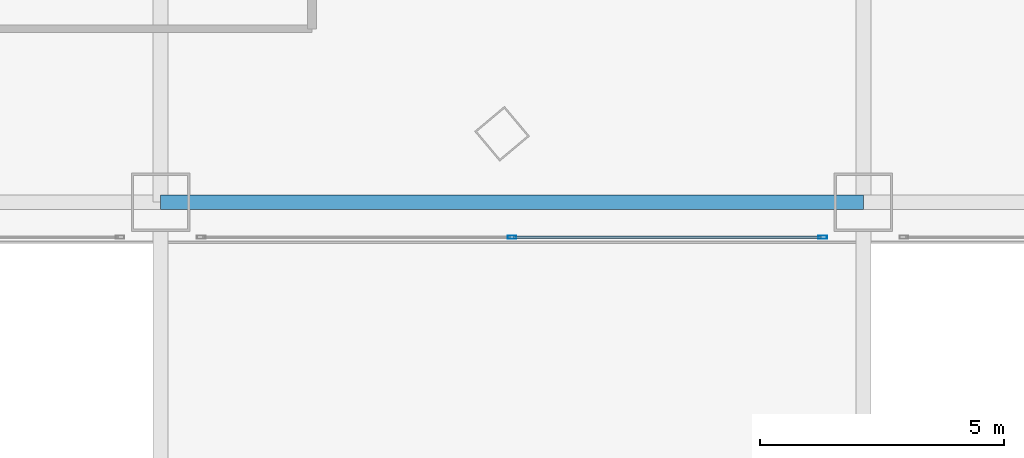
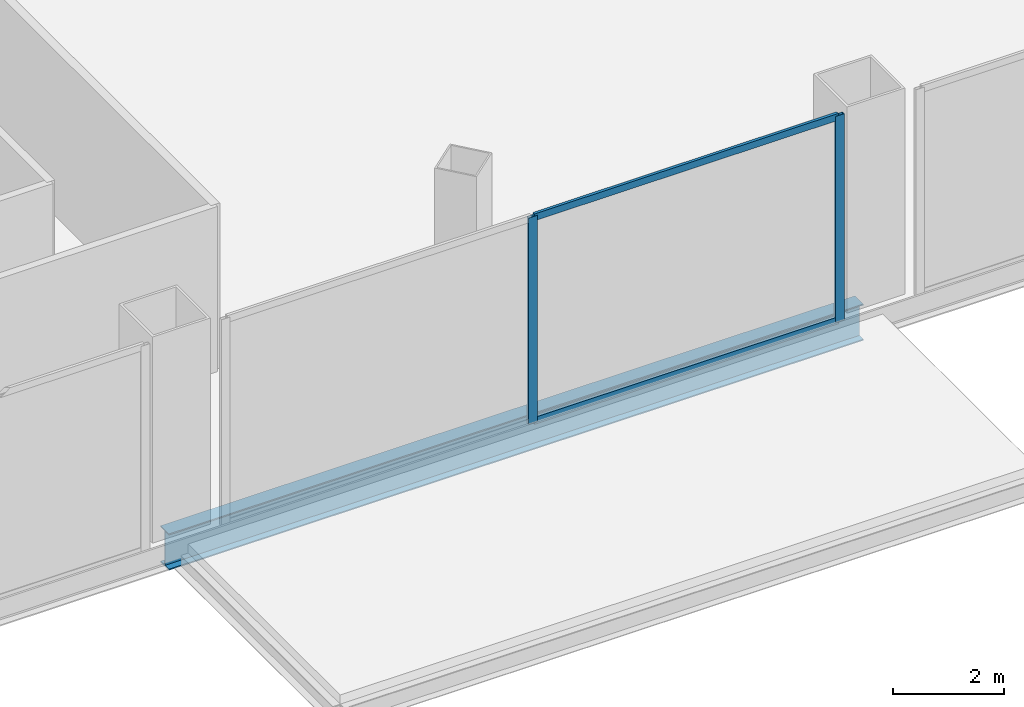
# One storey, part 13 of 42: 4 members, 1 beam, 1 element without a shape of its own.
"""IFC4 building model written with IfcOpenShell, lengths in metres."""

from ifc_helpers import new_model, si_unit, direction, frame, origin, origin_2d, place, context, subcontext, project, spatial, hollow_rectangle, i_section, extrude, source, transform, mapped, material, layer, layer_set, material_profile, profile_set, type_object, element, aggregate, save


model = new_model("IFC4")

# Units and contexts
model_context = context("Model", 3, precision=1e-05, world=origin(), true_north=direction((0.0, 1.0)))
body_context = subcontext(model_context, "Body", "Model", "MODEL_VIEW")
ifc_project = project(units=[si_unit("LENGTHUNIT", "METRE"), si_unit("AREAUNIT", "SQUARE_METRE"), si_unit("VOLUMEUNIT", "CUBIC_METRE"), si_unit("PLANEANGLEUNIT", "RADIAN"), si_unit("MASSUNIT", "GRAM", prefix="KILO"), si_unit("THERMODYNAMICTEMPERATUREUNIT", "KELVIN"), si_unit("POWERUNIT", "WATT")], contexts=[model_context])

# Site, building, storey
site_placement = place(None, origin())
site = spatial("IfcSite", under=ifc_project, at=site_placement, CompositionType="ELEMENT")
building_placement = place(site_placement, origin())
building = spatial("IfcBuilding", under=site, at=building_placement, Name="Yunzhuo Pagoda Commons", CompositionType="ELEMENT")
storey_placement = place(building_placement, frame((0.0, 0.0, 4.800048828125)))
storey = spatial("IfcBuildingStorey", under=building, at=storey_placement, Name="L02", CompositionType="ELEMENT", Elevation=4.800048828125)

# Beam
ifc_material_1 = material(Name="Structural steel Q355B", Category="steel")
ifc_material_profile_1 = material_profile(ifc_material_1, i_section(OverallWidth=0.300048828125, OverallDepth=0.800048828125, WebThickness=0.013916015625, FlangeThickness=0.02587890625, at=origin_2d()), Name="Structural steel Q355B")
ifc_profile_set_1 = profile_set([ifc_material_profile_1], Name="Structural steel Q355B")
beam_type = type_object("IfcBeamType", Name="B-PD2 Beam HN 800x300x14x26", PredefinedType="BEAM", material=ifc_profile_set_1)
shared_shape_1 = source(origin(), body_context, "Body", "SweptSolid", [
    extrude(i_section(OverallWidth=0.300048828125, OverallDepth=0.800048828125, WebThickness=0.013916015625, FlangeThickness=0.02587890625, at=origin_2d()), origin(), (0.0, 0.0, 1.0), 14.400146484375),
])
beam_placement = place(storey_placement, frame((62.39990234375, 6.800048828125, -0.679931640625), z_axis=(1.0, 0.0, 0.0), x_axis=(0.0, 1.0, 0.0)))
element("IfcBeam", 1, at=beam_placement, inside=storey, type_object=beam_type, Name="L02 podium girder EW 1.4", PredefinedType="BEAM", context=body_context, shape_type="MappedRepresentation", body=[
    mapped(shared_shape_1, transform((0.0, 0.0, 0.0), scale=1.0)),
])

# Curtain wall, members
ifc_material_2 = material(Name="Anodized aluminium 6063-T6", Category="aluminium")
ifc_layer = layer(ifc_material_2, 0.179931640625)
ifc_layer_set = layer_set([ifc_layer], Name="Anodized aluminium 6063-T6")
curtain_wall_type = type_object("IfcCurtainWallType", Name="CW-POD Waterfront Podium Curtain Wall", PredefinedType="NOTDEFINED", material=ifc_layer_set)
curtain_wall_placement = place(storey_placement, origin())
curtain_wall = element("IfcCurtainWall", 2, at=curtain_wall_placement, inside=storey, type_object=curtain_wall_type, Name="L02 curtain wall CW-L02-S4", PredefinedType="NOTDEFINED")
ifc_material_profile_2 = material_profile(ifc_material_2, hollow_rectangle(XDim=0.06494140625, YDim=0.179931640625, WallThickness=0.00390625, at=origin_2d()), Name="Anodized aluminium 6063-T6")
ifc_profile_set_2 = profile_set([ifc_material_profile_2], Name="Anodized aluminium 6063-T6")
member_type_1 = type_object("IfcMemberType", Name="CW-POD-M Mullion RHS 180x65x4", PredefinedType="MULLION", material=ifc_profile_set_2)
shared_shape_2 = source(origin(), body_context, "Body", "SweptSolid", [
    extrude(hollow_rectangle(XDim=0.06494140625, YDim=0.179931640625, WallThickness=0.00390625, at=origin_2d()), origin(), (0.0, 0.0, 1.0), 4.52001953125),
])
member_1_placement = place(storey_placement, frame((69.60009765625, 6.080078125, 0.0), z_axis=(0.0, 0.0, 1.0), x_axis=(0.0, 1.0, 0.0)))
member_1 = element("IfcMember", 3, at=member_1_placement, type_object=member_type_1, Name="CW mullion 2", PredefinedType="MULLION", context=body_context, shape_type="MappedRepresentation", body=[
    mapped(shared_shape_2, transform((0.0, 0.0, 0.0), scale=1.0)),
])
member_2_placement = place(storey_placement, frame((75.967529296875, 6.080078125, 0.0), z_axis=(0.0, 0.0, 1.0), x_axis=(0.0, 1.0, 0.0)))
member_2 = element("IfcMember", 4, at=member_2_placement, type_object=member_type_1, Name="CW mullion 3", PredefinedType="MULLION", context=body_context, shape_type="MappedRepresentation", body=[
    mapped(shared_shape_2, transform((0.0, 0.0, 0.0), scale=1.0)),
])
ifc_material_profile_3 = material_profile(ifc_material_2, hollow_rectangle(XDim=0.06005859375, YDim=0.14990234375, WallThickness=0.00390625, at=origin_2d()), Name="Anodized aluminium 6063-T6")
ifc_profile_set_3 = profile_set([ifc_material_profile_3], Name="Anodized aluminium 6063-T6")
member_type_2 = type_object("IfcMemberType", Name="CW-POD-T Transom RHS 150x60x4", PredefinedType="USERDEFINED", material=ifc_profile_set_3)
shared_shape_3 = source(origin(), body_context, "Body", "SweptSolid", [
    extrude(hollow_rectangle(XDim=0.06005859375, YDim=0.14990234375, WallThickness=0.00390625, at=origin_2d()), origin(), (0.0, 0.0, 1.0), 6.302490234375),
])
member_3_placement = place(storey_placement, frame((69.632568359375, 6.080078125, 0.030029296875), z_axis=(1.0, 0.0, 0.0), x_axis=(0.0, 1.0, 0.0)))
member_3 = element("IfcMember", 5, at=member_3_placement, type_object=member_type_2, Name="CW transom 2.1", ObjectType="TRANSOM", PredefinedType="USERDEFINED", context=body_context, shape_type="MappedRepresentation", body=[
    mapped(shared_shape_3, transform((0.0, 0.0, 0.0), scale=1.0)),
])
member_4_placement = place(storey_placement, frame((69.632568359375, 6.080078125, 4.489990234375), z_axis=(1.0, 0.0, 0.0), x_axis=(0.0, 1.0, 0.0)))
member_4 = element("IfcMember", 6, at=member_4_placement, type_object=member_type_2, Name="CW transom 2.2", ObjectType="TRANSOM", PredefinedType="USERDEFINED", context=body_context, shape_type="MappedRepresentation", body=[
    mapped(shared_shape_3, transform((0.0, 0.0, 0.0), scale=1.0)),
])
aggregate(curtain_wall, [member_1, member_2, member_3, member_4])

save(model, "model.ifc")
